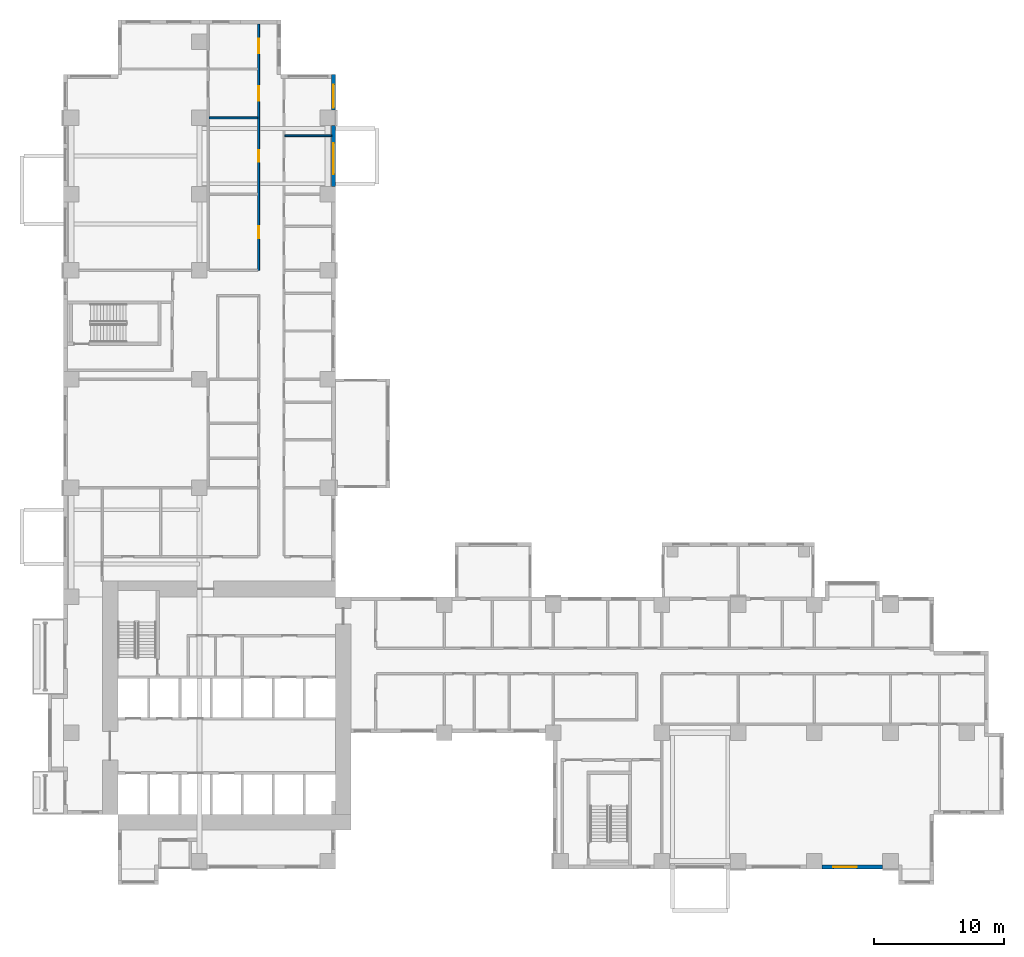
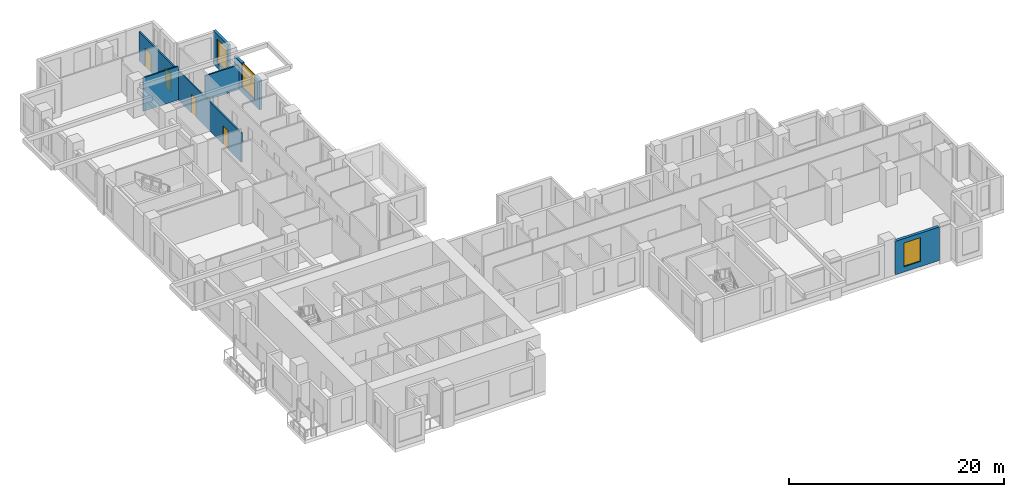
# One storey, part 8 of 14: 6 walls, 4 doors, 3 windows, 7 openings.
"""IFC4 building model written with IfcOpenShell, lengths in metres."""

from ifc_helpers import new_model, si_unit, direction, frame, frame_2d, origin, place, context, subcontext, project, spatial, rectangle, extrude, source, transform, mapped, material, layer, layer_set, type_object, element, fill, save


model = new_model("IFC4")

# Units and contexts
model_context = context("Model", 3, precision=1e-05, world=origin(), true_north=direction((0.0, 1.0)))
body_context = subcontext(model_context, "Body", "Model", "MODEL_VIEW")
ifc_project = project(units=[si_unit("LENGTHUNIT", "METRE"), si_unit("AREAUNIT", "SQUARE_METRE"), si_unit("VOLUMEUNIT", "CUBIC_METRE"), si_unit("PLANEANGLEUNIT", "RADIAN"), si_unit("MASSUNIT", "GRAM", prefix="KILO")], contexts=[model_context])

# Site, building, storey
site_placement = place(None, origin())
site = spatial("IfcSite", under=ifc_project, at=site_placement, CompositionType="ELEMENT")
building_placement = place(site_placement, origin())
building = spatial("IfcBuilding", under=site, at=building_placement, Name="Aurelian Terraces", CompositionType="ELEMENT")
storey_placement = place(building_placement, frame((0.0, 0.0, 53.1)))
storey = spatial("IfcBuildingStorey", under=building, at=storey_placement, Name="L10", CompositionType="ELEMENT", Elevation=53.1)

# Wall, opening, window
ifc_material_1 = material(Name="Terracotta rainscreen cladding", Category="masonry")
ifc_layer_1 = layer(ifc_material_1, 0.3)
ifc_layer_set_1 = layer_set([ifc_layer_1], Name="EW-300")
wall_type_1 = type_object("IfcWallType", Name="EW-300", PredefinedType="STANDARD", material=ifc_layer_set_1)
shared_shape_1 = source(origin(), body_context, "Body", "SweptSolid", [
    extrude(rectangle(XDim=4.68, YDim=0.3, at=frame_2d((2.34, 0.0))), origin(), (0.0, 0.0, 1.0), 3.8),
])
wall_1_placement = place(storey_placement, frame((58.56, 0.15, 0.0), z_axis=(0.0, 0.0, 1.0), x_axis=(1.0, 0.0, 0.0)))
wall_1 = element("IfcWall", 1, at=wall_1_placement, inside=storey, type_object=wall_type_1, Name="External wall L10 F05.12", PredefinedType="STANDARD", context=body_context, shape_type="MappedRepresentation", body=[
    mapped(shared_shape_1, transform((0.0, 0.0, 0.0), scale=1.0)),
])
shared_shape_2 = source(origin(), body_context, "Body", "SweptSolid", [
    extrude(rectangle(XDim=1.8, YDim=2.7, at=frame_2d((0.9, 1.35))), frame((0.0, 0.16, 0.0), z_axis=(0.0, -1.0, 0.0), x_axis=(1.0, 0.0, 0.0)), (0.0, 0.0, 1.0), 0.32),
])
opening_1_placement = place(wall_1_placement, frame((0.8775, 0.0, 0.6)))
opening_1 = element("IfcOpeningElement", 2, at=opening_1_placement, cuts=wall_1, Name="Opening W1827", PredefinedType="OPENING", context=body_context, shape_type="MappedRepresentation", body=[
    mapped(shared_shape_2, transform((0.0, 0.0, 0.0), scale=1.0)),
])
ifc_material_2 = material(Name="Clear glazing", Category="glass")
window_type_1 = type_object("IfcWindowType", Name="W-1800x2700", PartitioningType="SINGLE_PANEL", PredefinedType="WINDOW", material=ifc_material_2)
shared_shape_3 = source(origin(), body_context, "Body", "SweptSolid", [
    extrude(rectangle(XDim=1.8, YDim=2.7, at=frame_2d((0.9, 1.35))), frame((0.0, 0.03, 0.0), z_axis=(0.0, -1.0, 0.0), x_axis=(1.0, 0.0, 0.0)), (0.0, 0.0, 1.0), 0.06),
])
window_1_placement = place(opening_1_placement, origin())
window_1 = element("IfcWindow", 3, at=window_1_placement, inside=storey, type_object=window_type_1, Name="Window L10 L10-F05-12-0", OverallHeight=2.7, OverallWidth=1.8, PartitioningType="SINGLE_PANEL", PredefinedType="WINDOW", context=body_context, shape_type="MappedRepresentation", body=[
    mapped(shared_shape_3, transform((0.0, 0.0, 0.0), scale=1.0)),
])
fill(opening_1, window_1)

shared_shape_4 = source(origin(), body_context, "Body", "SweptSolid", [
    extrude(rectangle(XDim=2.76, YDim=0.3, at=frame_2d((1.38, 0.0))), origin(), (0.0, 0.0, 1.0), 3.8),
])
wall_2_placement = place(storey_placement, frame((20.85, 58.56, 0.0), z_axis=(0.0, 0.0, 1.0), x_axis=(0.0, 1.0, 0.0)))
wall_2 = element("IfcWall", 4, at=wall_2_placement, inside=storey, type_object=wall_type_1, Name="External wall L10 F12.30", PredefinedType="STANDARD", context=body_context, shape_type="MappedRepresentation", body=[
    mapped(shared_shape_4, transform((0.0, 0.0, 0.0), scale=1.0)),
])
opening_2_placement = place(wall_2_placement, frame((0.18, 0.0, 0.6)))
opening_2 = element("IfcOpeningElement", 5, at=opening_2_placement, cuts=wall_2, Name="Opening W1827", PredefinedType="OPENING", context=body_context, shape_type="MappedRepresentation", body=[
    mapped(shared_shape_2, transform((0.0, 0.0, 0.0), scale=1.0)),
])
window_2_placement = place(opening_2_placement, origin())
window_2 = element("IfcWindow", 6, at=window_2_placement, inside=storey, type_object=window_type_1, Name="Window L10 L10-F12-30-0", OverallHeight=2.7, OverallWidth=1.8, PartitioningType="SINGLE_PANEL", PredefinedType="WINDOW", context=body_context, shape_type="MappedRepresentation", body=[
    mapped(shared_shape_3, transform((0.0, 0.0, 0.0), scale=1.0)),
])
fill(opening_2, window_2)

shared_shape_5 = source(origin(), body_context, "Body", "SweptSolid", [
    extrude(rectangle(XDim=4.68, YDim=0.3, at=frame_2d((2.34, 0.0))), origin(), (0.0, 0.0, 1.0), 3.3),
])
wall_3_placement = place(storey_placement, frame((20.85, 52.68, 0.0), z_axis=(0.0, 0.0, 1.0), x_axis=(0.0, 1.0, 0.0)))
wall_3 = element("IfcWall", 7, at=wall_3_placement, inside=storey, type_object=wall_type_1, Name="External wall L10 F12.29", PredefinedType="STANDARD", context=body_context, shape_type="MappedRepresentation", body=[
    mapped(shared_shape_5, transform((0.0, 0.0, 0.0), scale=1.0)),
])
shared_shape_6 = source(origin(), body_context, "Body", "SweptSolid", [
    extrude(rectangle(XDim=2.4, YDim=2.7, at=frame_2d((1.2, 1.35))), frame((0.0, 0.16, 0.0), z_axis=(0.0, -1.0, 0.0), x_axis=(1.0, 0.0, 0.0)), (0.0, 0.0, 1.0), 0.32),
])
opening_3_placement = place(wall_3_placement, frame((0.936, 0.0, 0.6)))
opening_3 = element("IfcOpeningElement", 8, at=opening_3_placement, cuts=wall_3, Name="Opening W2427", PredefinedType="OPENING", context=body_context, shape_type="MappedRepresentation", body=[
    mapped(shared_shape_6, transform((0.0, 0.0, 0.0), scale=1.0)),
])
window_type_2 = type_object("IfcWindowType", Name="W-2400x2700", PartitioningType="SINGLE_PANEL", PredefinedType="WINDOW", material=ifc_material_2)
shared_shape_7 = source(origin(), body_context, "Body", "SweptSolid", [
    extrude(rectangle(XDim=2.4, YDim=2.7, at=frame_2d((1.2, 1.35))), frame((0.0, 0.03, 0.0), z_axis=(0.0, -1.0, 0.0), x_axis=(1.0, 0.0, 0.0)), (0.0, 0.0, 1.0), 0.06),
])
window_3_placement = place(opening_3_placement, origin())
window_3 = element("IfcWindow", 9, at=window_3_placement, inside=storey, type_object=window_type_2, Name="Window L10 L10-F12-29-0", OverallHeight=2.7, OverallWidth=2.4, PartitioningType="SINGLE_PANEL", PredefinedType="WINDOW", context=body_context, shape_type="MappedRepresentation", body=[
    mapped(shared_shape_7, transform((0.0, 0.0, 0.0), scale=1.0)),
])
fill(opening_3, window_3)

# Wall
ifc_material_3 = material(Name="Gypsum board on steel studs", Category="steel")
ifc_layer_2 = layer(ifc_material_3, 0.15)
ifc_layer_set_2 = layer_set([ifc_layer_2], Name="Partition 150")
wall_type_2 = type_object("IfcWallType", Name="Partition 150", PredefinedType="PARTITIONING", material=ifc_layer_set_2)
shared_shape_8 = source(origin(), body_context, "Body", "SweptSolid", [
    extrude(rectangle(XDim=3.75, YDim=0.15, at=frame_2d((1.875, 0.0))), origin(), (0.0, 0.0, 1.0), 3.8),
])
wall_4_placement = place(storey_placement, frame((15.0, 57.96, 0.0), z_axis=(0.0, 0.0, 1.0), x_axis=(-1.0, 0.0, 0.0)))
element("IfcWall", 10, at=wall_4_placement, inside=storey, type_object=wall_type_2, Name="Partition", PredefinedType="PARTITIONING", context=body_context, shape_type="MappedRepresentation", body=[
    mapped(shared_shape_8, transform((0.0, 0.0, 0.0), scale=1.0)),
])

# Wall, openings, doors
ifc_layer_3 = layer(ifc_material_3, 0.15)
ifc_layer_set_3 = layer_set([ifc_layer_3], Name="Fire partition 150")
wall_type_3 = type_object("IfcWallType", Name="Fire partition 150", PredefinedType="PARTITIONING", material=ifc_layer_set_3)
shared_shape_9 = source(origin(), body_context, "Body", "SweptSolid", [
    extrude(rectangle(XDim=19.02, YDim=0.15, at=frame_2d((9.51, 0.0))), origin(), (0.0, 0.0, 1.0), 3.3),
])
wall_5_placement = place(storey_placement, frame((15.075, 46.2, 0.0), z_axis=(0.0, 0.0, 1.0), x_axis=(0.0, 1.0, 0.0)))
wall_5 = element("IfcWall", 11, at=wall_5_placement, inside=storey, type_object=wall_type_3, Name="Corridor wall", PredefinedType="PARTITIONING", context=body_context, shape_type="MappedRepresentation", body=[
    mapped(shared_shape_9, transform((0.0, 0.0, 0.0), scale=1.0)),
])
shared_shape_10 = source(origin(), body_context, "Body", "SweptSolid", [
    extrude(rectangle(XDim=1.1, YDim=2.1, at=frame_2d((0.55, 1.05))), frame((0.0, 0.085, 0.0), z_axis=(0.0, -1.0, 0.0), x_axis=(1.0, 0.0, 0.0)), (0.0, 0.0, 1.0), 0.17),
])
opening_4_placement = place(wall_5_placement, frame((13.1, 0.0, 0.0)))
opening_4 = element("IfcOpeningElement", 12, at=opening_4_placement, cuts=wall_5, Name="Opening 710036", PredefinedType="OPENING", context=body_context, shape_type="MappedRepresentation", body=[
    mapped(shared_shape_10, transform((0.0, 0.0, 0.0), scale=1.0)),
])
shared_shape_11 = source(origin(), body_context, "Body", "SweptSolid", [
    extrude(rectangle(XDim=0.9, YDim=2.1, at=frame_2d((0.45, 1.05))), frame((0.0, 0.085, 0.0), z_axis=(0.0, -1.0, 0.0), x_axis=(1.0, 0.0, 0.0)), (0.0, 0.0, 1.0), 0.17),
])
opening_5_placement = place(wall_5_placement, frame((2.49, 0.0, 0.0)))
opening_5 = element("IfcOpeningElement", 13, at=opening_5_placement, cuts=wall_5, Name="Opening 710038", PredefinedType="OPENING", context=body_context, shape_type="MappedRepresentation", body=[
    mapped(shared_shape_11, transform((0.0, 0.0, 0.0), scale=1.0)),
])
opening_6_placement = place(wall_5_placement, frame((8.37, 0.0, 0.0)))
opening_6 = element("IfcOpeningElement", 14, at=opening_6_placement, cuts=wall_5, Name="Opening 710039", PredefinedType="OPENING", context=body_context, shape_type="MappedRepresentation", body=[
    mapped(shared_shape_11, transform((0.0, 0.0, 0.0), scale=1.0)),
])
opening_7_placement = place(wall_5_placement, frame((16.7675, 0.0, 0.0)))
opening_7 = element("IfcOpeningElement", 15, at=opening_7_placement, cuts=wall_5, Name="Opening 710040", PredefinedType="OPENING", context=body_context, shape_type="MappedRepresentation", body=[
    mapped(shared_shape_10, transform((0.0, 0.0, 0.0), scale=1.0)),
])
ifc_material_4 = material(Name="Timber door leaf", Category="wood")
door_type_1 = type_object("IfcDoorType", Name="Room door 900x2100 left", OperationType="SINGLE_SWING_LEFT", PredefinedType="DOOR", material=ifc_material_4)
shared_shape_12 = source(origin(), body_context, "Body", "SweptSolid", [
    extrude(rectangle(XDim=0.9, YDim=2.1, at=frame_2d((0.45, 1.05))), frame((0.0, 0.025, 0.0), z_axis=(0.0, -1.0, 0.0), x_axis=(1.0, 0.0, 0.0)), (0.0, 0.0, 1.0), 0.05),
])
door_1_placement = place(opening_5_placement, origin())
door_1 = element("IfcDoor", 16, at=door_1_placement, inside=storey, type_object=door_type_1, Name="Door 710038", OperationType="SINGLE_SWING_LEFT", OverallHeight=2.1, OverallWidth=0.9, PredefinedType="DOOR", context=body_context, shape_type="MappedRepresentation", body=[
    mapped(shared_shape_12, transform((0.0, 0.0, 0.0), scale=1.0)),
])
fill(opening_5, door_1)
door_type_2 = type_object("IfcDoorType", Name="Room door 900x2100 right", OperationType="SINGLE_SWING_RIGHT", PredefinedType="DOOR", material=ifc_material_4)
door_2_placement = place(opening_6_placement, origin())
door_2 = element("IfcDoor", 17, at=door_2_placement, inside=storey, type_object=door_type_2, Name="Door 710039", OperationType="SINGLE_SWING_RIGHT", OverallHeight=2.1, OverallWidth=0.9, PredefinedType="DOOR", context=body_context, shape_type="MappedRepresentation", body=[
    mapped(shared_shape_12, transform((0.0, 0.0, 0.0), scale=1.0)),
])
fill(opening_6, door_2)
door_type_3 = type_object("IfcDoorType", Name="Room door 1100x2100 left", OperationType="SINGLE_SWING_LEFT", PredefinedType="DOOR", material=ifc_material_4)
shared_shape_13 = source(origin(), body_context, "Body", "SweptSolid", [
    extrude(rectangle(XDim=1.1, YDim=2.1, at=frame_2d((0.55, 1.05))), frame((0.0, 0.025, 0.0), z_axis=(0.0, -1.0, 0.0), x_axis=(1.0, 0.0, 0.0)), (0.0, 0.0, 1.0), 0.05),
])
door_3_placement = place(opening_4_placement, origin())
door_3 = element("IfcDoor", 18, at=door_3_placement, inside=storey, type_object=door_type_3, Name="Door 710036", OperationType="SINGLE_SWING_LEFT", OverallHeight=2.1, OverallWidth=1.1, PredefinedType="DOOR", context=body_context, shape_type="MappedRepresentation", body=[
    mapped(shared_shape_13, transform((0.0, 0.0, 0.0), scale=1.0)),
])
fill(opening_4, door_3)
door_4_placement = place(opening_7_placement, origin())
door_4 = element("IfcDoor", 19, at=door_4_placement, inside=storey, type_object=door_type_3, Name="Door 710040", OperationType="SINGLE_SWING_LEFT", OverallHeight=2.1, OverallWidth=1.1, PredefinedType="DOOR", context=body_context, shape_type="MappedRepresentation", body=[
    mapped(shared_shape_13, transform((0.0, 0.0, 0.0), scale=1.0)),
])
fill(opening_7, door_4)

# Wall
shared_shape_14 = source(origin(), body_context, "Body", "SweptSolid", [
    extrude(rectangle(XDim=3.6, YDim=0.15, at=frame_2d((1.8, 0.0))), origin(), (0.0, 0.0, 1.0), 2.8),
])
wall_6_placement = place(storey_placement, frame((17.1, 56.5875, 0.0), z_axis=(0.0, 0.0, 1.0), x_axis=(1.0, 0.0, 0.0)))
element("IfcWall", 20, at=wall_6_placement, inside=storey, type_object=wall_type_2, Name="Partition", PredefinedType="PARTITIONING", context=body_context, shape_type="MappedRepresentation", body=[
    mapped(shared_shape_14, transform((0.0, 0.0, 0.0), scale=1.0)),
])

save(model, "model.ifc")
